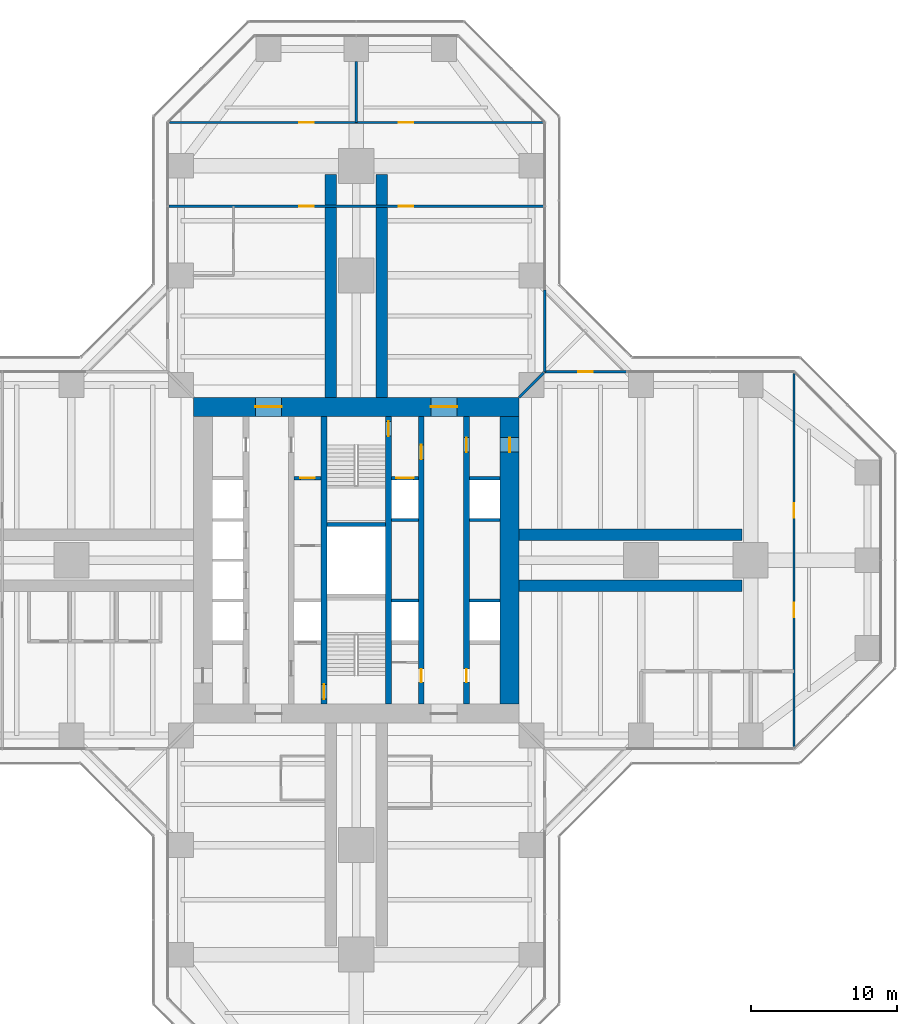
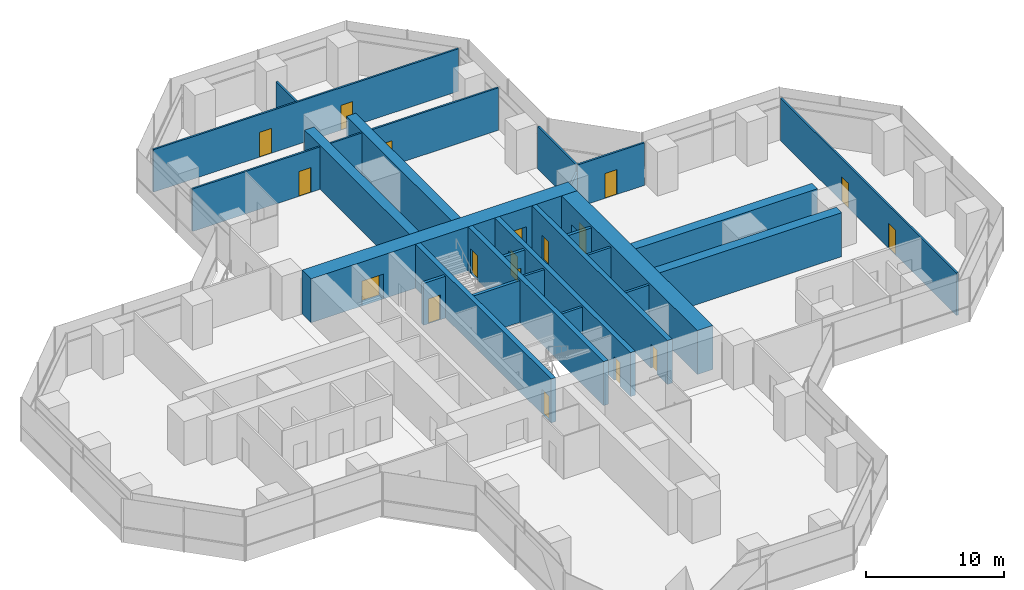
# One storey, part 19 of 22: 25 walls, 18 doors, 18 openings.
"""IFC4 building model written with IfcOpenShell, lengths in metres."""

from ifc_helpers import new_model, si_unit, direction, frame, frame_2d, origin, place, context, subcontext, project, spatial, rectangle, extrude, material, layer, layer_set, type_object, element, fill, save


model = new_model("IFC4")

# Units and contexts
model_context = context("Model", 3, precision=1e-05, world=origin(), true_north=direction((0.0, 1.0)))
body_context = subcontext(model_context, "Body", "Model", "MODEL_VIEW")
ifc_project = project(units=[si_unit("LENGTHUNIT", "METRE"), si_unit("AREAUNIT", "SQUARE_METRE"), si_unit("VOLUMEUNIT", "CUBIC_METRE"), si_unit("PLANEANGLEUNIT", "RADIAN"), si_unit("MASSUNIT", "GRAM", prefix="KILO")], contexts=[model_context])

# Site, building, storey
site_placement = place(None, origin())
site = spatial("IfcSite", under=ifc_project, at=site_placement, CompositionType="ELEMENT")
building_placement = place(site_placement, origin())
building = spatial("IfcBuilding", under=site, at=building_placement, Name="Mizan Broadcast Tower", CompositionType="ELEMENT")
storey_placement = place(building_placement, frame((0.0, 0.0, 51.300048828125)))
storey = spatial("IfcBuildingStorey", under=building, at=storey_placement, Name="L09", CompositionType="ELEMENT", Elevation=51.300048828125)

# Wall, openings, doors
ifc_material_1 = material(Name="Concrete C70/85", Category="concrete")
ifc_layer_1 = layer(ifc_material_1, 0.39990234375)
ifc_layer_set_1 = layer_set([ifc_layer_1], Name="Concrete C70/85")
wall_type_1 = type_object("IfcWallType", Name="CORE INTERNAL WALL 400", PredefinedType="SHEAR", material=ifc_layer_set_1)
wall_1_placement = place(storey_placement, frame((7.550048828125, 9.85009765625, 0.0), z_axis=(0.0, 0.0, 1.0), x_axis=(0.0, -1.0, 0.0)))
wall_1 = element("IfcWall", 1, at=wall_1_placement, inside=storey, type_object=wall_type_1, Name="Core wall CORE/XW1E", PredefinedType="SHEAR", context=body_context, shape_type="SweptSolid", body=[
    extrude(rectangle(XDim=19.7001953125, YDim=0.39990234375, at=frame_2d((9.85009765625, 0.0))), origin(), (0.0, 0.0, 1.0), 3.89990234375),
])
opening_1_placement = place(wall_1_placement, frame((1.449951171875, 0.0, 0.0)))
opening_1 = element("IfcOpeningElement", 2, at=opening_1_placement, cuts=wall_1, Name="Opening D10F", PredefinedType="OPENING", context=body_context, shape_type="SweptSolid", body=[
    extrude(rectangle(XDim=1.0, YDim=2.199951171875, at=frame_2d((0.5, 1.10009765625))), frame((0.0, 0.2099609375, 0.0), z_axis=(0.0, -1.0, 0.0), x_axis=(1.0, 0.0, 0.0)), (0.0, 0.0, 1.0), 0.419921875),
])
opening_2_placement = place(wall_1_placement, frame((17.300048828125, 0.0, 0.0)))
opening_2 = element("IfcOpeningElement", 3, at=opening_2_placement, cuts=wall_1, Name="Opening D09", PredefinedType="OPENING", context=body_context, shape_type="SweptSolid", body=[
    extrude(rectangle(XDim=0.89990234375, YDim=2.10009765625, at=frame_2d((0.449951171875, 1.050048828125))), frame((0.0, 0.2099609375, 0.0), z_axis=(0.0, -1.0, 0.0), x_axis=(1.0, 0.0, 0.0)), (0.0, 0.0, 1.0), 0.419921875),
])
ifc_material_2 = material(Name="Steel door leaf in steel frame", Category="steel")
door_type_1 = type_object("IfcDoorType", Name="FIRE DOOR 1000 FD90", OperationType="SINGLE_SWING_LEFT", PredefinedType="DOOR", material=ifc_material_2)
door_1_placement = place(opening_1_placement, origin())
door_1 = element("IfcDoor", 4, at=door_1_placement, inside=storey, type_object=door_type_1, Name="East core passage door", OperationType="SINGLE_SWING_LEFT", OverallHeight=2.199951171875, OverallWidth=1.0, PredefinedType="DOOR", context=body_context, shape_type="SweptSolid", body=[
    extrude(rectangle(XDim=1.0, YDim=2.199951171875, at=frame_2d((0.5, 1.10009765625))), frame((0.0, 0.02490234375, 0.0), z_axis=(0.0, -1.0, 0.0), x_axis=(1.0, 0.0, 0.0)), (0.0, 0.0, 1.0), 0.050048828125),
])
fill(opening_1, door_1)
ifc_material_3 = material(Name="Timber door leaf in aluminium frame", Category="wood")
door_type_2 = type_object("IfcDoorType", Name="TOILET DOOR 900", OperationType="SINGLE_SWING_LEFT", PredefinedType="DOOR", material=ifc_material_3)
door_2_placement = place(opening_2_placement, origin())
door_2 = element("IfcDoor", 5, at=door_2_placement, inside=storey, type_object=door_type_2, Name="Female WC door", OperationType="SINGLE_SWING_RIGHT", OverallHeight=2.10009765625, OverallWidth=0.89990234375, PredefinedType="DOOR", context=body_context, shape_type="SweptSolid", body=[
    extrude(rectangle(XDim=0.89990234375, YDim=2.10009765625, at=frame_2d((0.449951171875, 1.050048828125))), frame((0.0, 0.02490234375, 0.0), z_axis=(0.0, -1.0, 0.0), x_axis=(1.0, 0.0, 0.0)), (0.0, 0.0, 1.0), 0.050048828125),
])
fill(opening_2, door_2)

wall_2_placement = place(storey_placement, frame((4.449951171875, 9.85009765625, 0.0), z_axis=(0.0, 0.0, 1.0), x_axis=(0.0, -1.0, 0.0)))
wall_2 = element("IfcWall", 6, at=wall_2_placement, inside=storey, type_object=wall_type_1, Name="Core wall CORE/XWHE", PredefinedType="SHEAR", context=body_context, shape_type="SweptSolid", body=[
    extrude(rectangle(XDim=19.7001953125, YDim=0.39990234375, at=frame_2d((9.85009765625, 0.0))), origin(), (0.0, 0.0, 1.0), 3.89990234375),
])
opening_3_placement = place(wall_2_placement, frame((1.949951171875, 0.0, 0.0)))
opening_3 = element("IfcOpeningElement", 7, at=opening_3_placement, cuts=wall_2, Name="Opening D10F", PredefinedType="OPENING", context=body_context, shape_type="SweptSolid", body=[
    extrude(rectangle(XDim=1.0, YDim=2.199951171875, at=frame_2d((0.5, 1.10009765625))), frame((0.0, 0.2099609375, 0.0), z_axis=(0.0, -1.0, 0.0), x_axis=(1.0, 0.0, 0.0)), (0.0, 0.0, 1.0), 0.419921875),
])
opening_4_placement = place(wall_2_placement, frame((17.300048828125, 0.0, 0.0)))
opening_4 = element("IfcOpeningElement", 8, at=opening_4_placement, cuts=wall_2, Name="Opening D09", PredefinedType="OPENING", context=body_context, shape_type="SweptSolid", body=[
    extrude(rectangle(XDim=0.89990234375, YDim=2.10009765625, at=frame_2d((0.449951171875, 1.050048828125))), frame((0.0, 0.2099609375, 0.0), z_axis=(0.0, -1.0, 0.0), x_axis=(1.0, 0.0, 0.0)), (0.0, 0.0, 1.0), 0.419921875),
])
door_3_placement = place(opening_3_placement, origin())
door_3 = element("IfcDoor", 9, at=door_3_placement, inside=storey, type_object=door_type_1, Name="Firefighting lobby B door", OperationType="SINGLE_SWING_LEFT", OverallHeight=2.199951171875, OverallWidth=1.0, PredefinedType="DOOR", context=body_context, shape_type="SweptSolid", body=[
    extrude(rectangle(XDim=1.0, YDim=2.199951171875, at=frame_2d((0.5, 1.10009765625))), frame((0.0, 0.02490234375, 0.0), z_axis=(0.0, -1.0, 0.0), x_axis=(1.0, 0.0, 0.0)), (0.0, 0.0, 1.0), 0.050048828125),
])
fill(opening_3, door_3)
door_4_placement = place(opening_4_placement, origin())
door_4 = element("IfcDoor", 10, at=door_4_placement, inside=storey, type_object=door_type_2, Name="Cleaner's store door", OperationType="SINGLE_SWING_RIGHT", OverallHeight=2.10009765625, OverallWidth=0.89990234375, PredefinedType="DOOR", context=body_context, shape_type="SweptSolid", body=[
    extrude(rectangle(XDim=0.89990234375, YDim=2.10009765625, at=frame_2d((0.449951171875, 1.050048828125))), frame((0.0, 0.02490234375, 0.0), z_axis=(0.0, -1.0, 0.0), x_axis=(1.0, 0.0, 0.0)), (0.0, 0.0, 1.0), 0.050048828125),
])
fill(opening_4, door_4)

# Wall, opening, door
wall_3_placement = place(storey_placement, frame((-2.199951171875, -9.85009765625, 0.0), z_axis=(0.0, 0.0, 1.0), x_axis=(0.0, 1.0, 0.0)))
wall_3 = element("IfcWall", 11, at=wall_3_placement, inside=storey, type_object=wall_type_1, Name="Core wall CORE/XW2", PredefinedType="SHEAR", context=body_context, shape_type="SweptSolid", body=[
    extrude(rectangle(XDim=19.7001953125, YDim=0.39990234375, at=frame_2d((9.85009765625, 0.0))), origin(), (0.0, 0.0, 1.0), 3.89990234375),
])
opening_5_placement = place(wall_3_placement, frame((0.35009765625, 0.0, 0.0)))
opening_5 = element("IfcOpeningElement", 12, at=opening_5_placement, cuts=wall_3, Name="Opening D10S", PredefinedType="OPENING", context=body_context, shape_type="SweptSolid", body=[
    extrude(rectangle(XDim=1.0, YDim=2.199951171875, at=frame_2d((0.5, 1.10009765625))), frame((0.0, 0.2099609375, 0.0), z_axis=(0.0, -1.0, 0.0), x_axis=(1.0, 0.0, 0.0)), (0.0, 0.0, 1.0), 0.419921875),
])
ifc_material_4 = material(Name="Steel door leaf in steel frame", Category="steel")
door_type_3 = type_object("IfcDoorType", Name="STAIR DOOR 1000 FD90S", OperationType="SINGLE_SWING_RIGHT", PredefinedType="DOOR", material=ifc_material_4)
door_5_placement = place(opening_5_placement, origin())
door_5 = element("IfcDoor", 13, at=door_5_placement, inside=storey, type_object=door_type_3, Name="Stair A door", OperationType="SINGLE_SWING_RIGHT", OverallHeight=2.199951171875, OverallWidth=1.0, PredefinedType="DOOR", context=body_context, shape_type="SweptSolid", body=[
    extrude(rectangle(XDim=1.0, YDim=2.199951171875, at=frame_2d((0.5, 1.10009765625))), frame((0.0, 0.02490234375, 0.0), z_axis=(0.0, -1.0, 0.0), x_axis=(1.0, 0.0, 0.0)), (0.0, 0.0, 1.0), 0.050048828125),
])
fill(opening_5, door_5)

wall_4_placement = place(storey_placement, frame((2.199951171875, 9.85009765625, 0.0), z_axis=(0.0, 0.0, 1.0), x_axis=(0.0, -1.0, 0.0)))
wall_4 = element("IfcWall", 14, at=wall_4_placement, inside=storey, type_object=wall_type_1, Name="Core wall CORE/XW2E", PredefinedType="SHEAR", context=body_context, shape_type="SweptSolid", body=[
    extrude(rectangle(XDim=19.7001953125, YDim=0.39990234375, at=frame_2d((9.85009765625, 0.0))), origin(), (0.0, 0.0, 1.0), 3.89990234375),
])
opening_6_placement = place(wall_4_placement, frame((0.35009765625, 0.0, 0.0)))
opening_6 = element("IfcOpeningElement", 15, at=opening_6_placement, cuts=wall_4, Name="Opening D10S", PredefinedType="OPENING", context=body_context, shape_type="SweptSolid", body=[
    extrude(rectangle(XDim=1.0, YDim=2.199951171875, at=frame_2d((0.5, 1.10009765625))), frame((0.0, 0.2099609375, 0.0), z_axis=(0.0, -1.0, 0.0), x_axis=(1.0, 0.0, 0.0)), (0.0, 0.0, 1.0), 0.419921875),
])
door_6_placement = place(opening_6_placement, origin())
door_6 = element("IfcDoor", 16, at=door_6_placement, inside=storey, type_object=door_type_3, Name="Stair B door", OperationType="SINGLE_SWING_RIGHT", OverallHeight=2.199951171875, OverallWidth=1.0, PredefinedType="DOOR", context=body_context, shape_type="SweptSolid", body=[
    extrude(rectangle(XDim=1.0, YDim=2.199951171875, at=frame_2d((0.5, 1.10009765625))), frame((0.0, 0.02490234375, 0.0), z_axis=(0.0, -1.0, 0.0), x_axis=(1.0, 0.0, 0.0)), (0.0, 0.0, 1.0), 0.050048828125),
])
fill(opening_6, door_6)

# Wall, openings, doors
ifc_material_5 = material(Name="Concrete C70/85", Category="concrete")
ifc_layer_2 = layer(ifc_material_5, 1.300048828125)
ifc_layer_set_2 = layer_set([ifc_layer_2], Name="Concrete C70/85")
wall_type_2 = type_object("IfcWallType", Name="CORE WALL 1300", PredefinedType="SHEAR", material=ifc_layer_set_2)
wall_5_placement = place(storey_placement, frame((-11.14990234375, 10.5, 0.0), z_axis=(0.0, 0.0, 1.0), x_axis=(1.0, 0.0, 0.0)))
wall_5 = element("IfcWall", 17, at=wall_5_placement, inside=storey, type_object=wall_type_2, Name="Core wall N L09", PredefinedType="SHEAR", context=body_context, shape_type="SweptSolid", body=[
    extrude(rectangle(XDim=22.2998046875, YDim=1.300048828125, at=frame_2d((11.14990234375, 0.0))), origin(), (0.0, 0.0, 1.0), 3.89990234375),
])
opening_7_placement = place(wall_5_placement, frame((4.25, 0.0, 0.0)))
opening_7 = element("IfcOpeningElement", 18, at=opening_7_placement, cuts=wall_5, Name="Opening D18F", PredefinedType="OPENING", context=body_context, shape_type="SweptSolid", body=[
    extrude(rectangle(XDim=1.800048828125, YDim=2.199951171875, at=frame_2d((0.89990234375, 1.10009765625))), frame((0.0, 0.659912109375, 0.0), z_axis=(0.0, -1.0, 0.0), x_axis=(1.0, 0.0, 0.0)), (0.0, 0.0, 1.0), 1.320068359375),
])
opening_8_placement = place(wall_5_placement, frame((16.25, 0.0, 0.0)))
opening_8 = element("IfcOpeningElement", 19, at=opening_8_placement, cuts=wall_5, Name="Opening D18F", PredefinedType="OPENING", context=body_context, shape_type="SweptSolid", body=[
    extrude(rectangle(XDim=1.800048828125, YDim=2.199951171875, at=frame_2d((0.89990234375, 1.10009765625))), frame((0.0, 0.659912109375, 0.0), z_axis=(0.0, -1.0, 0.0), x_axis=(1.0, 0.0, 0.0)), (0.0, 0.0, 1.0), 1.320068359375),
])
ifc_material_6 = material(Name="Steel door leaf in steel frame", Category="steel")
door_type_4 = type_object("IfcDoorType", Name="LOBBY DOUBLE DOOR 1800 FD90", OperationType="DOUBLE_DOOR_DOUBLE_SWING", PredefinedType="DOOR", material=ifc_material_6)
door_7_placement = place(opening_7_placement, origin())
door_7 = element("IfcDoor", 20, at=door_7_placement, inside=storey, type_object=door_type_4, Name="West lift lobby north door", OperationType="DOUBLE_DOOR_DOUBLE_SWING", OverallHeight=2.199951171875, OverallWidth=1.800048828125, PredefinedType="DOOR", context=body_context, shape_type="SweptSolid", body=[
    extrude(rectangle(XDim=1.800048828125, YDim=2.199951171875, at=frame_2d((0.89990234375, 1.10009765625))), frame((0.0, 0.02490234375, 0.0), z_axis=(0.0, -1.0, 0.0), x_axis=(1.0, 0.0, 0.0)), (0.0, 0.0, 1.0), 0.050048828125),
])
fill(opening_7, door_7)
door_8_placement = place(opening_8_placement, origin())
door_8 = element("IfcDoor", 21, at=door_8_placement, inside=storey, type_object=door_type_4, Name="East lift lobby north door", OperationType="DOUBLE_DOOR_DOUBLE_SWING", OverallHeight=2.199951171875, OverallWidth=1.800048828125, PredefinedType="DOOR", context=body_context, shape_type="SweptSolid", body=[
    extrude(rectangle(XDim=1.800048828125, YDim=2.199951171875, at=frame_2d((0.89990234375, 1.10009765625))), frame((0.0, 0.02490234375, 0.0), z_axis=(0.0, -1.0, 0.0), x_axis=(1.0, 0.0, 0.0)), (0.0, 0.0, 1.0), 0.050048828125),
])
fill(opening_8, door_8)

# Wall, opening, door
wall_6_placement = place(storey_placement, frame((10.5, -9.85009765625, 0.0), z_axis=(0.0, 0.0, 1.0), x_axis=(0.0, 1.0, 0.0)))
wall_6 = element("IfcWall", 22, at=wall_6_placement, inside=storey, type_object=wall_type_2, Name="Core wall E L09", PredefinedType="SHEAR", context=body_context, shape_type="SweptSolid", body=[
    extrude(rectangle(XDim=19.7001953125, YDim=1.300048828125, at=frame_2d((9.85009765625, 0.0))), origin(), (0.0, 0.0, 1.0), 3.89990234375),
])
opening_9_placement = place(wall_6_placement, frame((17.25, 0.0, 0.0)))
opening_9 = element("IfcOpeningElement", 23, at=opening_9_placement, cuts=wall_6, Name="Opening D10F", PredefinedType="OPENING", context=body_context, shape_type="SweptSolid", body=[
    extrude(rectangle(XDim=1.0, YDim=2.199951171875, at=frame_2d((0.5, 1.10009765625))), frame((0.0, 0.659912109375, 0.0), z_axis=(0.0, -1.0, 0.0), x_axis=(1.0, 0.0, 0.0)), (0.0, 0.0, 1.0), 1.320068359375),
])
door_9_placement = place(opening_9_placement, origin())
door_9 = element("IfcDoor", 24, at=door_9_placement, inside=storey, type_object=door_type_1, Name="East core passage arm door", OperationType="SINGLE_SWING_RIGHT", OverallHeight=2.199951171875, OverallWidth=1.0, PredefinedType="DOOR", context=body_context, shape_type="SweptSolid", body=[
    extrude(rectangle(XDim=1.0, YDim=2.199951171875, at=frame_2d((0.5, 1.10009765625))), frame((0.0, 0.02490234375, 0.0), z_axis=(0.0, -1.0, 0.0), x_axis=(1.0, 0.0, 0.0)), (0.0, 0.0, 1.0), 0.050048828125),
])
fill(opening_9, door_9)

ifc_material_7 = material(Name="Aluminium framed glazed screen", Category="aluminium")
ifc_layer_3 = layer(ifc_material_7, 0.159912109375)
ifc_layer_set_3 = layer_set([ifc_layer_3], Name="Aluminium framed glazed screen")
wall_type_3 = type_object("IfcWallType", Name="GLAZED SCREEN WALL 160", PredefinedType="SOLIDWALL", material=ifc_layer_set_3)
wall_7_placement = place(storey_placement, frame((18.5, 12.89990234375, 0.0), z_axis=(0.0, 0.0, 1.0), x_axis=(-1.0, 0.0, 0.0)))
wall_7 = element("IfcWall", 25, at=wall_7_placement, inside=storey, type_object=wall_type_3, Name="Winter garden screen L09 E", PredefinedType="SOLIDWALL", context=body_context, shape_type="SweptSolid", body=[
    extrude(rectangle(XDim=5.60009765625, YDim=0.159912109375, at=frame_2d((2.800048828125, 0.0))), origin(), (0.0, 0.0, 1.0), 3.77001953125),
])
opening_10_placement = place(wall_7_placement, frame((2.300048828125, 0.0, 0.0)))
opening_10 = element("IfcOpeningElement", 26, at=opening_10_placement, cuts=wall_7, Name="Opening WGD", PredefinedType="OPENING", context=body_context, shape_type="SweptSolid", body=[
    extrude(rectangle(XDim=1.0, YDim=2.199951171875, at=frame_2d((0.5, 1.10009765625))), frame((0.0, 0.08984375, 0.0), z_axis=(0.0, -1.0, 0.0), x_axis=(1.0, 0.0, 0.0)), (0.0, 0.0, 1.0), 0.179931640625),
])
ifc_material_8 = material(Name="Aluminium framed glazed door", Category="aluminium")
door_type_5 = type_object("IfcDoorType", Name="WINTER GARDEN DOOR 1000 GLAZED", OperationType="SINGLE_SWING_LEFT", PredefinedType="DOOR", material=ifc_material_8)
door_10_placement = place(opening_10_placement, origin())
door_10 = element("IfcDoor", 27, at=door_10_placement, inside=storey, type_object=door_type_5, Name="Winter garden door L09 E", OperationType="SINGLE_SWING_RIGHT", OverallHeight=2.199951171875, OverallWidth=1.0, PredefinedType="DOOR", context=body_context, shape_type="SweptSolid", body=[
    extrude(rectangle(XDim=1.0, YDim=2.199951171875, at=frame_2d((0.5, 1.10009765625))), frame((0.0, 0.02490234375, 0.0), z_axis=(0.0, -1.0, 0.0), x_axis=(1.0, 0.0, 0.0)), (0.0, 0.0, 1.0), 0.050048828125),
])
fill(opening_10, door_10)

# Walls
wall_8_placement = place(storey_placement, frame((12.89990234375, 12.89990234375, 0.0), z_axis=(0.0, 0.0, 1.0), x_axis=(0.0, 1.0, 0.0)))
element("IfcWall", 28, at=wall_8_placement, inside=storey, type_object=wall_type_3, Name="Winter garden screen L09 N", PredefinedType="SOLIDWALL", context=body_context, shape_type="SweptSolid", body=[
    extrude(rectangle(XDim=5.60009765625, YDim=0.159912109375, at=frame_2d((2.800048828125, 0.0))), origin(), (0.0, 0.0, 1.0), 3.77001953125),
])
ifc_material_9 = material(Name="Concrete blockwork", Category="masonry")
ifc_layer_4 = layer(ifc_material_9, 0.199951171875)
ifc_layer_set_4 = layer_set([ifc_layer_4], Name="Concrete blockwork")
wall_type_4 = type_object("IfcWallType", Name="LIFT SHAFT WALL 200", PredefinedType="SOLIDWALL", material=ifc_layer_set_4)
wall_9_placement = place(storey_placement, frame((2.39990234375, -2.75, 0.0), z_axis=(0.0, 0.0, 1.0), x_axis=(1.0, 0.0, 0.0)))
element("IfcWall", 29, at=wall_9_placement, inside=storey, type_object=wall_type_4, Name="Lift shaft wall CORE/SE2-1", PredefinedType="SOLIDWALL", context=body_context, shape_type="SweptSolid", body=[
    extrude(rectangle(XDim=1.85009765625, YDim=0.199951171875, at=frame_2d((0.925048828125, 0.0))), origin(), (0.0, 0.0, 1.0), 3.699951171875),
])
wall_10_placement = place(storey_placement, frame((7.75, -2.75, 0.0), z_axis=(0.0, 0.0, 1.0), x_axis=(1.0, 0.0, 0.0)))
element("IfcWall", 30, at=wall_10_placement, inside=storey, type_object=wall_type_4, Name="Lift shaft wall CORE/SE1-1", PredefinedType="SOLIDWALL", context=body_context, shape_type="SweptSolid", body=[
    extrude(rectangle(XDim=2.10009765625, YDim=0.199951171875, at=frame_2d((1.050048828125, 0.0))), origin(), (0.0, 0.0, 1.0), 3.699951171875),
])
wall_11_placement = place(storey_placement, frame((2.39990234375, 2.75, 0.0), z_axis=(0.0, 0.0, 1.0), x_axis=(1.0, 0.0, 0.0)))
element("IfcWall", 31, at=wall_11_placement, inside=storey, type_object=wall_type_4, Name="Lift shaft wall CORE/SE2-3", PredefinedType="SOLIDWALL", context=body_context, shape_type="SweptSolid", body=[
    extrude(rectangle(XDim=1.85009765625, YDim=0.199951171875, at=frame_2d((0.925048828125, 0.0))), origin(), (0.0, 0.0, 1.0), 3.699951171875),
])
wall_12_placement = place(storey_placement, frame((7.75, 2.75, 0.0), z_axis=(0.0, 0.0, 1.0), x_axis=(1.0, 0.0, 0.0)))
element("IfcWall", 32, at=wall_12_placement, inside=storey, type_object=wall_type_4, Name="Lift shaft wall CORE/SE1-3", PredefinedType="SOLIDWALL", context=body_context, shape_type="SweptSolid", body=[
    extrude(rectangle(XDim=2.10009765625, YDim=0.199951171875, at=frame_2d((1.050048828125, 0.0))), origin(), (0.0, 0.0, 1.0), 3.699951171875),
])

# Wall, opening, door
ifc_material_10 = material(Name="Concrete blockwork", Category="masonry")
ifc_layer_5 = layer(ifc_material_10, 0.25)
ifc_layer_set_5 = layer_set([ifc_layer_5], Name="Concrete blockwork")
wall_type_5 = type_object("IfcWallType", Name="LOBBY ENCLOSURE WALL 250", PredefinedType="SOLIDWALL", material=ifc_layer_set_5)
wall_13_placement = place(storey_placement, frame((-4.25, 5.625, 0.0), z_axis=(0.0, 0.0, 1.0), x_axis=(1.0, 0.0, 0.0)))
wall_13 = element("IfcWall", 33, at=wall_13_placement, inside=storey, type_object=wall_type_5, Name="Lobby enclosure wall CORE/BW2N", PredefinedType="SOLIDWALL", context=body_context, shape_type="SweptSolid", body=[
    extrude(rectangle(XDim=1.85009765625, YDim=0.25, at=frame_2d((0.925048828125, 0.0))), origin(), (0.0, 0.0, 1.0), 3.699951171875),
])
opening_11_placement = place(wall_13_placement, frame((0.425048828125, 0.0, 0.0)))
opening_11 = element("IfcOpeningElement", 34, at=opening_11_placement, cuts=wall_13, Name="Opening D10F", PredefinedType="OPENING", context=body_context, shape_type="SweptSolid", body=[
    extrude(rectangle(XDim=1.0, YDim=2.199951171875, at=frame_2d((0.5, 1.10009765625))), frame((0.0, 0.135009765625, 0.0), z_axis=(0.0, -1.0, 0.0), x_axis=(1.0, 0.0, 0.0)), (0.0, 0.0, 1.0), 0.27001953125),
])
door_11_placement = place(opening_11_placement, origin())
door_11 = element("IfcDoor", 35, at=door_11_placement, inside=storey, type_object=door_type_1, Name="Accessible shower room door", OperationType="SINGLE_SWING_RIGHT", OverallHeight=2.199951171875, OverallWidth=1.0, PredefinedType="DOOR", context=body_context, shape_type="SweptSolid", body=[
    extrude(rectangle(XDim=1.0, YDim=2.199951171875, at=frame_2d((0.5, 1.10009765625))), frame((0.0, 0.02490234375, 0.0), z_axis=(0.0, -1.0, 0.0), x_axis=(1.0, 0.0, 0.0)), (0.0, 0.0, 1.0), 0.050048828125),
])
fill(opening_11, door_11)

wall_14_placement = place(storey_placement, frame((2.39990234375, 5.625, 0.0), z_axis=(0.0, 0.0, 1.0), x_axis=(1.0, 0.0, 0.0)))
wall_14 = element("IfcWall", 36, at=wall_14_placement, inside=storey, type_object=wall_type_5, Name="Lobby enclosure wall CORE/BE2N", PredefinedType="SOLIDWALL", context=body_context, shape_type="SweptSolid", body=[
    extrude(rectangle(XDim=1.85009765625, YDim=0.25, at=frame_2d((0.925048828125, 0.0))), origin(), (0.0, 0.0, 1.0), 3.699951171875),
])
opening_12_placement = place(wall_14_placement, frame((0.324951171875, 0.0, 0.0)))
opening_12 = element("IfcOpeningElement", 37, at=opening_12_placement, cuts=wall_14, Name="Opening LDF", PredefinedType="OPENING", context=body_context, shape_type="SweptSolid", body=[
    extrude(rectangle(XDim=1.199951171875, YDim=2.199951171875, at=frame_2d((0.60009765625, 1.10009765625))), frame((0.0, 0.135009765625, 0.0), z_axis=(0.0, -1.0, 0.0), x_axis=(1.0, 0.0, 0.0)), (0.0, 0.0, 1.0), 0.27001953125),
])
ifc_material_11 = material(Name="Steel door leaf in steel frame", Category="steel")
door_type_6 = type_object("IfcDoorType", Name="FIREFIGHTING LIFT LANDING DOOR 1200", OperationType="SLIDING_TO_LEFT", PredefinedType="DOOR", material=ifc_material_11)
door_12_placement = place(opening_12_placement, origin())
door_12 = element("IfcDoor", 38, at=door_12_placement, inside=storey, type_object=door_type_6, Name="Landing door FF2", OperationType="SLIDING_TO_LEFT", OverallHeight=2.199951171875, OverallWidth=1.199951171875, PredefinedType="DOOR", context=body_context, shape_type="SweptSolid", body=[
    extrude(rectangle(XDim=1.199951171875, YDim=2.199951171875, at=frame_2d((0.60009765625, 1.10009765625))), frame((0.0, 0.02490234375, 0.0), z_axis=(0.0, -1.0, 0.0), x_axis=(1.0, 0.0, 0.0)), (0.0, 0.0, 1.0), 0.050048828125),
])
fill(opening_12, door_12)

# Walls
wall_15_placement = place(storey_placement, frame((7.75, 5.625, 0.0), z_axis=(0.0, 0.0, 1.0), x_axis=(1.0, 0.0, 0.0)))
element("IfcWall", 39, at=wall_15_placement, inside=storey, type_object=wall_type_5, Name="Lobby enclosure wall CORE/BE1N", PredefinedType="SOLIDWALL", context=body_context, shape_type="SweptSolid", body=[
    extrude(rectangle(XDim=2.10009765625, YDim=0.25, at=frame_2d((1.050048828125, 0.0))), origin(), (0.0, 0.0, 1.0), 3.699951171875),
])
wall_16_placement = place(storey_placement, frame((-2.0, 2.449951171875, 0.0), z_axis=(0.0, 0.0, 1.0), x_axis=(1.0, 0.0, 0.0)))
element("IfcWall", 40, at=wall_16_placement, inside=storey, type_object=wall_type_5, Name="Lobby enclosure wall CORE/STB", PredefinedType="SOLIDWALL", context=body_context, shape_type="SweptSolid", body=[
    extrude(rectangle(XDim=4.0, YDim=0.25, at=frame_2d((2.0, 0.0))), origin(), (0.0, 0.0, 1.0), 3.699951171875),
])

# Wall, openings, doors
ifc_material_12 = material(Name="Gypsum board on steel studs", Category="steel")
ifc_layer_6 = layer(ifc_material_12, 0.14990234375)
ifc_layer_set_6 = layer_set([ifc_layer_6], Name="Gypsum board on steel studs")
wall_type_6 = type_object("IfcWallType", Name="PARTITION 150", PredefinedType="PARTITIONING", material=ifc_layer_set_6)
wall_17_placement = place(storey_placement, frame((29.958984375, -12.786376953125, 0.0), z_axis=(0.0, 0.0, 1.0), x_axis=(0.0, 1.0, 0.0)))
wall_17 = element("IfcWall", 41, at=wall_17_placement, inside=storey, type_object=wall_type_6, Name="Partition PT/EX1", PredefinedType="PARTITIONING", context=body_context, shape_type="SweptSolid", body=[
    extrude(rectangle(XDim=25.57275390625, YDim=0.14990234375, at=frame_2d((12.786376953125, 0.0))), origin(), (0.0, 0.0, 1.0), 3.77001953125),
])
opening_13_placement = place(wall_17_placement, frame((15.6865234375, 0.0, 0.0)))
opening_13 = element("IfcOpeningElement", 42, at=opening_13_placement, cuts=wall_17, Name="Opening D10", PredefinedType="OPENING", context=body_context, shape_type="SweptSolid", body=[
    extrude(rectangle(XDim=1.0, YDim=2.199951171875, at=frame_2d((0.5, 1.10009765625))), frame((0.0, 0.0849609375, 0.0), z_axis=(0.0, -1.0, 0.0), x_axis=(1.0, 0.0, 0.0)), (0.0, 0.0, 1.0), 0.169921875),
])
opening_14_placement = place(wall_17_placement, frame((8.886474609375, 0.0, 0.0)))
opening_14 = element("IfcOpeningElement", 43, at=opening_14_placement, cuts=wall_17, Name="Opening D10", PredefinedType="OPENING", context=body_context, shape_type="SweptSolid", body=[
    extrude(rectangle(XDim=1.0, YDim=2.199951171875, at=frame_2d((0.5, 1.10009765625))), frame((0.0, 0.0849609375, 0.0), z_axis=(0.0, -1.0, 0.0), x_axis=(1.0, 0.0, 0.0)), (0.0, 0.0, 1.0), 0.169921875),
])
ifc_material_13 = material(Name="Timber door leaf in aluminium frame", Category="wood")
door_type_7 = type_object("IfcDoorType", Name="ROOM DOOR 1000", OperationType="SINGLE_SWING_LEFT", PredefinedType="DOOR", material=ifc_material_13)
door_13_placement = place(opening_13_placement, origin())
door_13 = element("IfcDoor", 44, at=door_13_placement, inside=storey, type_object=door_type_7, Name="News planning room door", OperationType="SINGLE_SWING_RIGHT", OverallHeight=2.199951171875, OverallWidth=1.0, PredefinedType="DOOR", context=body_context, shape_type="SweptSolid", body=[
    extrude(rectangle(XDim=1.0, YDim=2.199951171875, at=frame_2d((0.5, 1.10009765625))), frame((0.0, 0.02490234375, 0.0), z_axis=(0.0, -1.0, 0.0), x_axis=(1.0, 0.0, 0.0)), (0.0, 0.0, 1.0), 0.050048828125),
])
fill(opening_13, door_13)
door_14_placement = place(opening_14_placement, origin())
door_14 = element("IfcDoor", 45, at=door_14_placement, inside=storey, type_object=door_type_7, Name="News planning room door", OperationType="SINGLE_SWING_LEFT", OverallHeight=2.199951171875, OverallWidth=1.0, PredefinedType="DOOR", context=body_context, shape_type="SweptSolid", body=[
    extrude(rectangle(XDim=1.0, YDim=2.199951171875, at=frame_2d((0.5, 1.10009765625))), frame((0.0, 0.02490234375, 0.0), z_axis=(0.0, -1.0, 0.0), x_axis=(1.0, 0.0, 0.0)), (0.0, 0.0, 1.0), 0.050048828125),
])
fill(opening_14, door_14)

wall_18_placement = place(storey_placement, frame((12.820068359375, 24.22900390625, 0.0), z_axis=(0.0, 0.0, 1.0), x_axis=(-1.0, 0.0, 0.0)))
wall_18 = element("IfcWall", 46, at=wall_18_placement, inside=storey, type_object=wall_type_6, Name="Partition PT/NX1", PredefinedType="PARTITIONING", context=body_context, shape_type="SweptSolid", body=[
    extrude(rectangle(XDim=25.64013671875, YDim=0.14990234375, at=frame_2d((12.820068359375, 0.0))), origin(), (0.0, 0.0, 1.0), 3.77001953125),
])
opening_15_placement = place(wall_18_placement, frame((15.719970703125, 0.0, 0.0)))
opening_15 = element("IfcOpeningElement", 47, at=opening_15_placement, cuts=wall_18, Name="Opening D10", PredefinedType="OPENING", context=body_context, shape_type="SweptSolid", body=[
    extrude(rectangle(XDim=1.0, YDim=2.199951171875, at=frame_2d((0.5, 1.10009765625))), frame((0.0, 0.0849609375, 0.0), z_axis=(0.0, -1.0, 0.0), x_axis=(1.0, 0.0, 0.0)), (0.0, 0.0, 1.0), 0.169921875),
])
opening_16_placement = place(wall_18_placement, frame((8.919921875, 0.0, 0.0)))
opening_16 = element("IfcOpeningElement", 48, at=opening_16_placement, cuts=wall_18, Name="Opening D10", PredefinedType="OPENING", context=body_context, shape_type="SweptSolid", body=[
    extrude(rectangle(XDim=1.0, YDim=2.199951171875, at=frame_2d((0.5, 1.10009765625))), frame((0.0, 0.0849609375, 0.0), z_axis=(0.0, -1.0, 0.0), x_axis=(1.0, 0.0, 0.0)), (0.0, 0.0, 1.0), 0.169921875),
])
door_15_placement = place(opening_15_placement, origin())
door_15 = element("IfcDoor", 49, at=door_15_placement, inside=storey, type_object=door_type_7, Name="Open office door", OperationType="SINGLE_SWING_RIGHT", OverallHeight=2.199951171875, OverallWidth=1.0, PredefinedType="DOOR", context=body_context, shape_type="SweptSolid", body=[
    extrude(rectangle(XDim=1.0, YDim=2.199951171875, at=frame_2d((0.5, 1.10009765625))), frame((0.0, 0.02490234375, 0.0), z_axis=(0.0, -1.0, 0.0), x_axis=(1.0, 0.0, 0.0)), (0.0, 0.0, 1.0), 0.050048828125),
])
fill(opening_15, door_15)
door_16_placement = place(opening_16_placement, origin())
door_16 = element("IfcDoor", 50, at=door_16_placement, inside=storey, type_object=door_type_7, Name="Open office door", OperationType="SINGLE_SWING_LEFT", OverallHeight=2.199951171875, OverallWidth=1.0, PredefinedType="DOOR", context=body_context, shape_type="SweptSolid", body=[
    extrude(rectangle(XDim=1.0, YDim=2.199951171875, at=frame_2d((0.5, 1.10009765625))), frame((0.0, 0.02490234375, 0.0), z_axis=(0.0, -1.0, 0.0), x_axis=(1.0, 0.0, 0.0)), (0.0, 0.0, 1.0), 0.050048828125),
])
fill(opening_16, door_16)

wall_19_placement = place(storey_placement, frame((12.786376953125, 29.958984375, 0.0), z_axis=(0.0, 0.0, 1.0), x_axis=(-1.0, 0.0, 0.0)))
wall_19 = element("IfcWall", 51, at=wall_19_placement, inside=storey, type_object=wall_type_6, Name="Partition PT/NX2", PredefinedType="PARTITIONING", context=body_context, shape_type="SweptSolid", body=[
    extrude(rectangle(XDim=25.57275390625, YDim=0.14990234375, at=frame_2d((12.786376953125, 0.0))), origin(), (0.0, 0.0, 1.0), 3.77001953125),
])
opening_17_placement = place(wall_19_placement, frame((15.6865234375, 0.0, 0.0)))
opening_17 = element("IfcOpeningElement", 52, at=opening_17_placement, cuts=wall_19, Name="Opening D10", PredefinedType="OPENING", context=body_context, shape_type="SweptSolid", body=[
    extrude(rectangle(XDim=1.0, YDim=2.199951171875, at=frame_2d((0.5, 1.10009765625))), frame((0.0, 0.0849609375, 0.0), z_axis=(0.0, -1.0, 0.0), x_axis=(1.0, 0.0, 0.0)), (0.0, 0.0, 1.0), 0.169921875),
])
opening_18_placement = place(wall_19_placement, frame((8.886474609375, 0.0, 0.0)))
opening_18 = element("IfcOpeningElement", 53, at=opening_18_placement, cuts=wall_19, Name="Opening D10", PredefinedType="OPENING", context=body_context, shape_type="SweptSolid", body=[
    extrude(rectangle(XDim=1.0, YDim=2.199951171875, at=frame_2d((0.5, 1.10009765625))), frame((0.0, 0.0849609375, 0.0), z_axis=(0.0, -1.0, 0.0), x_axis=(1.0, 0.0, 0.0)), (0.0, 0.0, 1.0), 0.169921875),
])
door_17_placement = place(opening_17_placement, origin())
door_17 = element("IfcDoor", 54, at=door_17_placement, inside=storey, type_object=door_type_7, Name="Open office door", OperationType="SINGLE_SWING_RIGHT", OverallHeight=2.199951171875, OverallWidth=1.0, PredefinedType="DOOR", context=body_context, shape_type="SweptSolid", body=[
    extrude(rectangle(XDim=1.0, YDim=2.199951171875, at=frame_2d((0.5, 1.10009765625))), frame((0.0, 0.02490234375, 0.0), z_axis=(0.0, -1.0, 0.0), x_axis=(1.0, 0.0, 0.0)), (0.0, 0.0, 1.0), 0.050048828125),
])
fill(opening_17, door_17)
door_18_placement = place(opening_18_placement, origin())
door_18 = element("IfcDoor", 55, at=door_18_placement, inside=storey, type_object=door_type_7, Name="Open office door", OperationType="SINGLE_SWING_LEFT", OverallHeight=2.199951171875, OverallWidth=1.0, PredefinedType="DOOR", context=body_context, shape_type="SweptSolid", body=[
    extrude(rectangle(XDim=1.0, YDim=2.199951171875, at=frame_2d((0.5, 1.10009765625))), frame((0.0, 0.02490234375, 0.0), z_axis=(0.0, -1.0, 0.0), x_axis=(1.0, 0.0, 0.0)), (0.0, 0.0, 1.0), 0.050048828125),
])
fill(opening_18, door_18)

# Walls
wall_20_placement = place(storey_placement, frame((0.0, 29.958984375, 0.0), z_axis=(0.0, 0.0, 1.0), x_axis=(0.0, 1.0, 0.0)))
element("IfcWall", 56, at=wall_20_placement, inside=storey, type_object=wall_type_6, Name="Partition PT/NES", PredefinedType="PARTITIONING", context=body_context, shape_type="SweptSolid", body=[
    extrude(rectangle(XDim=4.19091796875, YDim=0.14990234375, at=frame_2d((2.095458984375, 0.0))), origin(), (0.0, 0.0, 1.0), 2.77001953125),
])
wall_21_placement = place(storey_placement, frame((11.14990234375, 11.14990234375, 0.0), z_axis=(0.0, 0.0, 1.0), x_axis=(0.707106781187, 0.707106781187, 0.0)))
element("IfcWall", 57, at=wall_21_placement, inside=storey, type_object=wall_type_6, Name="Partition PT/DGEN", PredefinedType="PARTITIONING", context=body_context, shape_type="SweptSolid", body=[
    extrude(rectangle(XDim=2.362060546875, YDim=0.14990234375, at=frame_2d((1.18115234375, 0.0))), origin(), (0.0, 0.0, 1.0), 3.219970703125),
])
ifc_material_14 = material(Name="Concrete C70/85", Category="concrete")
ifc_layer_7 = layer(ifc_material_14, 0.800048828125)
ifc_layer_set_7 = layer_set([ifc_layer_7], Name="Concrete C70/85")
wall_type_7 = type_object("IfcWallType", Name="SPINE WALL 800", PredefinedType="SHEAR", material=ifc_layer_set_7)
for number, where, z_axis, x_axis, name in (
    (58, (11.14990234375, -1.75, 0.0), (0.0, 0.0, 1.0), (1.0, 0.0, 0.0), "Spine wall ER L09"),
    (59, (11.14990234375, 1.75, 0.0), (0.0, 0.0, 1.0), (1.0, 0.0, 0.0), "Spine wall EL L09"),
    (60, (1.75, 11.14990234375, 0.0), (0.0, 0.0, 1.0), (0.0, 1.0, 0.0), "Spine wall NR L09"),
    (61, (-1.75, 11.14990234375, 0.0), (0.0, 0.0, 1.0), (0.0, 1.0, 0.0), "Spine wall NL L09"),
):
    element("IfcWall", number, at=place(storey_placement, frame(where, z_axis=z_axis, x_axis=x_axis)), inside=storey, type_object=wall_type_7, Name=name, PredefinedType="SHEAR", context=body_context, shape_type="SweptSolid", body=[
        extrude(rectangle(XDim=15.25, YDim=0.800048828125, at=frame_2d((7.625, 0.0))), origin(), (0.0, 0.0, 1.0), 3.89990234375),
    ])

save(model, "model.ifc")
